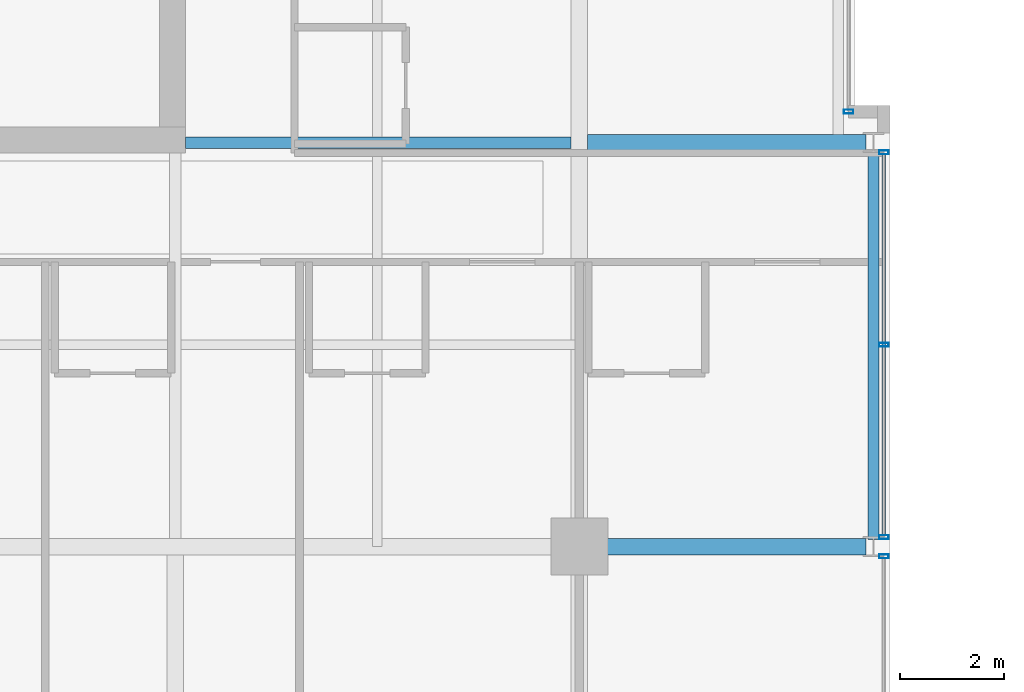
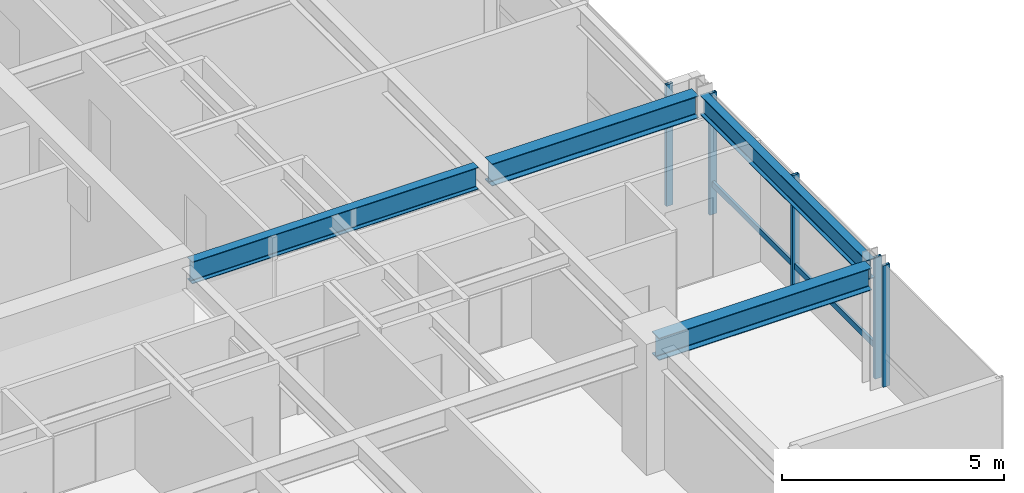
# One storey, part 13 of 33: 6 members, 4 beams, 3 elements without a shape of their own.
"""IFC4 building model written with IfcOpenShell, lengths in metres."""

from ifc_helpers import new_model, si_unit, direction, frame, origin, origin_2d, place, context, subcontext, project, spatial, hollow_rectangle, i_section, extrude, material, layer, layer_set, material_profile, profile_set, type_object, element, aggregate, save


model = new_model("IFC4")

# Units and contexts
model_context = context("Model", 3, precision=1e-05, world=origin(), true_north=direction((0.0, 1.0)))
body_context = subcontext(model_context, "Body", "Model", "MODEL_VIEW")
ifc_project = project(units=[si_unit("LENGTHUNIT", "METRE"), si_unit("AREAUNIT", "SQUARE_METRE"), si_unit("VOLUMEUNIT", "CUBIC_METRE"), si_unit("PLANEANGLEUNIT", "RADIAN"), si_unit("MASSUNIT", "GRAM", prefix="KILO")], contexts=[model_context])

# Site, building, storey
site_placement = place(None, origin())
site = spatial("IfcSite", under=ifc_project, at=site_placement, CompositionType="ELEMENT")
building_placement = place(site_placement, origin())
building = spatial("IfcBuilding", under=site, at=building_placement, Name="Drelvath Grand Hotel", CompositionType="ELEMENT")
storey_placement = place(building_placement, frame((0.0, 0.0, 212.300048828125)))
storey = spatial("IfcBuildingStorey", under=building, at=storey_placement, Name="L55", CompositionType="ELEMENT", Elevation=212.300048828125)

# Curtain wall, member
ifc_material_1 = material(Name="Platinum-Mist Anodised Aluminium Frame", Category="aluminium")
ifc_layer = layer(ifc_material_1, 0.199951171875)
ifc_layer_set = layer_set([ifc_layer], Name="Platinum-Mist Anodised Aluminium Frame")
curtain_wall_type = type_object("IfcCurtainWallType", Name="Stick Curtain Wall CW-05 Platinum Mist High-Rise", PredefinedType="NOTDEFINED", material=ifc_layer_set)
curtain_wall_1_placement = place(storey_placement, origin())
curtain_wall_1 = element("IfcCurtainWall", 1, at=curtain_wall_1_placement, inside=storey, type_object=curtain_wall_type, Name="L55 CW-05 Curtain Wall CW05-L55-ES2", PredefinedType="NOTDEFINED")
ifc_material_profile_1 = material_profile(ifc_material_1, hollow_rectangle(XDim=0.06494140625, YDim=0.159912109375, WallThickness=0.00390625, at=origin_2d()), Name="HSS160X65X4")
ifc_profile_set_1 = profile_set([ifc_material_profile_1], Name="Platinum-Mist Anodised Aluminium Frame")
member_type_1 = type_object("IfcMemberType", Name="Curtain Wall Horizontal Transom CW-05 HSS160X65X4", PredefinedType="USERDEFINED", material=ifc_profile_set_1)
member_1_placement = place(storey_placement, frame((22.080078125, 18.374755859375, 0.8349609375), z_axis=(0.0, -1.0, 0.0), x_axis=(1.0, 0.0, 0.0)))
member_1 = element("IfcMember", 2, at=member_1_placement, type_object=member_type_1, Name="CW05-L55-ES2 Sill Transom", ObjectType="TRANSOM", PredefinedType="USERDEFINED", context=body_context, shape_type="SweptSolid", body=[
    extrude(hollow_rectangle(XDim=0.06494140625, YDim=0.159912109375, WallThickness=0.00390625, at=origin_2d()), origin(), (0.0, 0.0, 1.0), 7.349365234375),
])

curtain_wall_2_placement = place(storey_placement, origin())
curtain_wall_2 = element("IfcCurtainWall", 3, at=curtain_wall_2_placement, inside=storey, type_object=curtain_wall_type, Name="L55 CW-05 Curtain Wall CW05-L55-EM1", PredefinedType="NOTDEFINED")
ifc_material_profile_2 = material_profile(ifc_material_1, hollow_rectangle(XDim=0.074951171875, YDim=0.179931640625, WallThickness=0.0048828125, at=origin_2d()), Name="HSS180X75X5")
ifc_profile_set_2 = profile_set([ifc_material_profile_2], Name="Platinum-Mist Anodised Aluminium Frame")
member_type_2 = type_object("IfcMemberType", Name="Curtain Wall Vertical Mullion CW-05 HSS180X75X5", PredefinedType="MULLION", material=ifc_profile_set_2)
member_2_placement = place(storey_placement, frame((21.39990234375, 19.199951171875, 0.0), z_axis=(0.0, 0.0, 1.0), x_axis=(0.0, 1.0, 0.0)))
member_2 = element("IfcMember", 4, at=member_2_placement, type_object=member_type_2, Name="CW05-L55-EM1 Mullion 3", PredefinedType="MULLION", context=body_context, shape_type="SweptSolid", body=[
    extrude(hollow_rectangle(XDim=0.074951171875, YDim=0.179931640625, WallThickness=0.0048828125, at=origin_2d()), origin(), (0.0, 0.0, 1.0), 3.33984375),
])
aggregate(curtain_wall_2, [member_2])

curtain_wall_3_placement = place(storey_placement, origin())
curtain_wall_3 = element("IfcCurtainWall", 5, at=curtain_wall_3_placement, inside=storey, type_object=curtain_wall_type, Name="L55 CW-05 Curtain Wall CW05-L55-ES1", PredefinedType="NOTDEFINED")
member_3_placement = place(storey_placement, frame((22.080078125, 10.61474609375, 0.0), z_axis=(0.0, 0.0, 1.0), x_axis=(0.0, 1.0, 0.0)))
member_3 = element("IfcMember", 6, at=member_3_placement, type_object=member_type_2, Name="CW05-L55-ES1 Mullion 1", PredefinedType="MULLION", context=body_context, shape_type="SweptSolid", body=[
    extrude(hollow_rectangle(XDim=0.074951171875, YDim=0.179931640625, WallThickness=0.0048828125, at=origin_2d()), origin(), (0.0, 0.0, 1.0), 3.33984375),
])
aggregate(curtain_wall_3, [member_3])

# Member
member_4_placement = place(storey_placement, frame((22.080078125, 18.414794921875, 0.0), z_axis=(0.0, 0.0, 1.0), x_axis=(0.0, 1.0, 0.0)))
member_4 = element("IfcMember", 7, at=member_4_placement, type_object=member_type_2, Name="CW05-L55-ES2 Mullion 1", PredefinedType="MULLION", context=body_context, shape_type="SweptSolid", body=[
    extrude(hollow_rectangle(XDim=0.074951171875, YDim=0.179931640625, WallThickness=0.0048828125, at=origin_2d()), origin(), (0.0, 0.0, 1.0), 3.33984375),
])

member_5_placement = place(storey_placement, frame((22.080078125, 14.699951171875, 0.0), z_axis=(0.0, 0.0, 1.0), x_axis=(0.0, 1.0, 0.0)))
member_5 = element("IfcMember", 8, at=member_5_placement, type_object=member_type_2, Name="CW05-L55-ES2 Mullion 2", PredefinedType="MULLION", context=body_context, shape_type="SweptSolid", body=[
    extrude(hollow_rectangle(XDim=0.074951171875, YDim=0.179931640625, WallThickness=0.0048828125, at=origin_2d()), origin(), (0.0, 0.0, 1.0), 3.33984375),
])

member_6_placement = place(storey_placement, frame((22.080078125, 10.9853515625, 0.0), z_axis=(0.0, 0.0, 1.0), x_axis=(0.0, 1.0, 0.0)))
member_6 = element("IfcMember", 9, at=member_6_placement, type_object=member_type_2, Name="CW05-L55-ES2 Mullion 3", PredefinedType="MULLION", context=body_context, shape_type="SweptSolid", body=[
    extrude(hollow_rectangle(XDim=0.074951171875, YDim=0.179931640625, WallThickness=0.0048828125, at=origin_2d()), origin(), (0.0, 0.0, 1.0), 3.33984375),
])

aggregate(curtain_wall_1, [member_4, member_5, member_6, member_1])

# Beams
ifc_material_2 = material(Name="Steel ASTM A992 Gr 50", Category="steel")
ifc_material_profile_3 = material_profile(ifc_material_2, i_section(OverallWidth=0.210205078125, OverallDepth=0.53662109375, WebThickness=0.010986328125, FlangeThickness=0.017333984375, FilletRadius=0.01806640625, at=origin_2d()), Name="W21X68")
ifc_profile_set_3 = profile_set([ifc_material_profile_3], Name="Steel ASTM A992 Gr 50")
beam_type_1 = type_object("IfcBeamType", Name="Perimeter Spandrel Beam W21X68", PredefinedType="SPANDREL", material=ifc_profile_set_3)
beam_1_placement = place(storey_placement, frame((21.8798828125, 10.93994140625, 3.071533203125), z_axis=(0.0, 1.0, 0.0), x_axis=(-1.0, 0.0, 0.0)))
element("IfcBeam", 10, at=beam_1_placement, inside=storey, type_object=beam_type_1, Name="L55 Spandrel East S", PredefinedType="SPANDREL", context=body_context, shape_type="SweptSolid", body=[
    extrude(i_section(OverallWidth=0.210205078125, OverallDepth=0.53662109375, WebThickness=0.010986328125, FlangeThickness=0.017333984375, FilletRadius=0.01806640625, at=origin_2d()), origin(), (0.0, 0.0, 1.0), 7.52001953125),
])
ifc_material_profile_4 = material_profile(ifc_material_2, i_section(OverallWidth=0.323974609375, OverallDepth=0.611083984375, WebThickness=0.0126953125, FlangeThickness=0.01904296875, FilletRadius=0.02197265625, at=origin_2d()), Name="W24X104")
ifc_profile_set_4 = profile_set([ifc_material_profile_4], Name="Steel ASTM A992 Gr 50")
beam_type_2 = type_object("IfcBeamType", Name="Primary Floor Girder W24X104", PredefinedType="BEAM", material=ifc_profile_set_4)
beam_2_placement = place(storey_placement, frame((16.199951171875, 10.800048828125, 3.034423828125), z_axis=(1.0, 0.0, 0.0), x_axis=(0.0, 1.0, 0.0)))
element("IfcBeam", 11, at=beam_2_placement, inside=storey, type_object=beam_type_2, Name="L55 East Grid Girder C", PredefinedType="BEAM", context=body_context, shape_type="SweptSolid", body=[
    extrude(i_section(OverallWidth=0.323974609375, OverallDepth=0.611083984375, WebThickness=0.0126953125, FlangeThickness=0.01904296875, FilletRadius=0.02197265625, at=origin_2d()), origin(), (0.0, 0.0, 1.0), 5.5400390625),
])
beam_3_placement = place(storey_placement, frame((16.362060546875, 18.60009765625, 3.034423828125), z_axis=(1.0, 0.0, 0.0), x_axis=(0.0, 1.0, 0.0)))
element("IfcBeam", 12, at=beam_3_placement, inside=storey, type_object=beam_type_2, Name="L55 East Wing Girder D", PredefinedType="BEAM", context=body_context, shape_type="SweptSolid", body=[
    extrude(i_section(OverallWidth=0.323974609375, OverallDepth=0.611083984375, WebThickness=0.0126953125, FlangeThickness=0.01904296875, FilletRadius=0.02197265625, at=origin_2d()), origin(), (0.0, 0.0, 1.0), 5.3779296875),
])
ifc_material_profile_5 = material_profile(ifc_material_2, i_section(OverallWidth=0.228271484375, OverallDepth=0.607666015625, WebThickness=0.01123046875, FlangeThickness=0.017333984375, FilletRadius=0.02001953125, at=origin_2d()), Name="W24X76")
ifc_profile_set_5 = profile_set([ifc_material_profile_5], Name="Steel ASTM A992 Gr 50")
beam_type_3 = type_object("IfcBeamType", Name="Primary Floor Girder W24X76", PredefinedType="BEAM", material=ifc_profile_set_5)
beam_4_placement = place(storey_placement, frame((8.60009765625, 18.60009765625, 3.0361328125), z_axis=(1.0, 0.0, 0.0), x_axis=(0.0, 1.0, 0.0)))
element("IfcBeam", 13, at=beam_4_placement, inside=storey, type_object=beam_type_3, Name="L55 East Core Tie D", PredefinedType="BEAM", context=body_context, shape_type="SweptSolid", body=[
    extrude(i_section(OverallWidth=0.228271484375, OverallDepth=0.607666015625, WebThickness=0.01123046875, FlangeThickness=0.017333984375, FilletRadius=0.02001953125, at=origin_2d()), origin(), (0.0, 0.0, 1.0), 7.43798828125),
])

save(model, "model.ifc")
